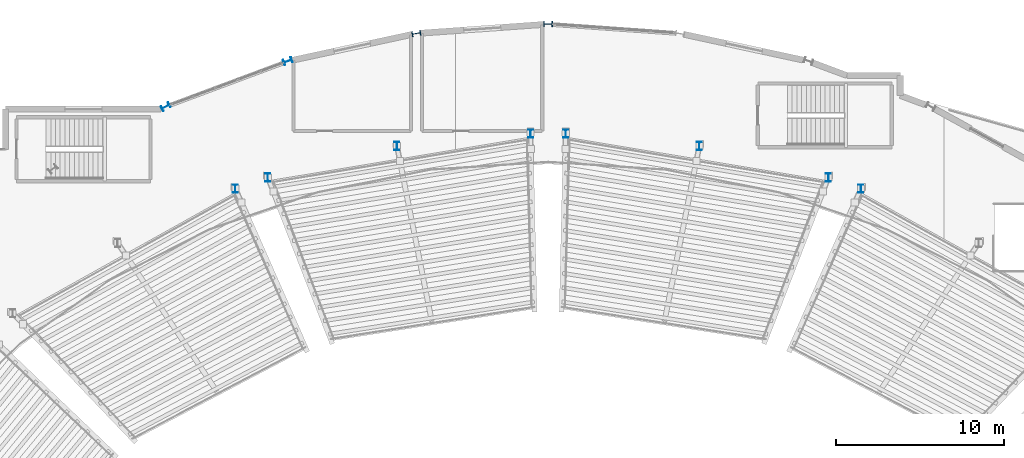
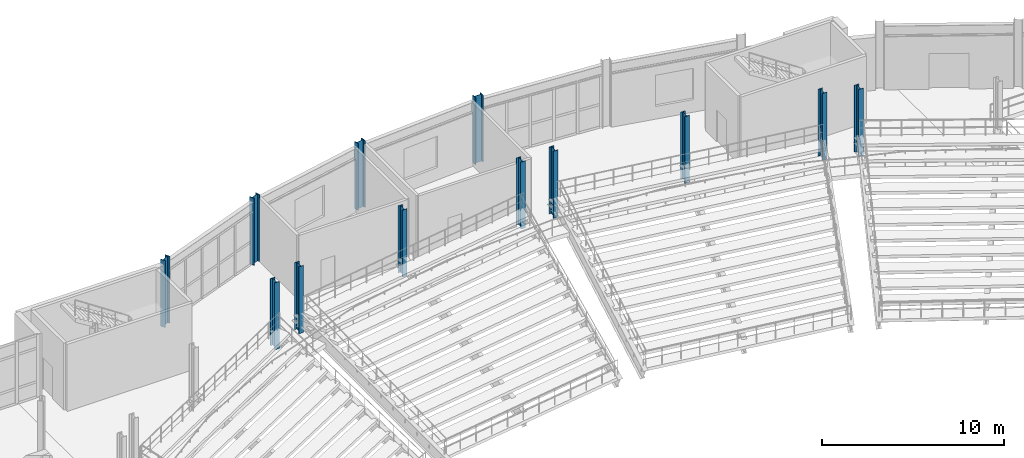
# One storey, part 12 of 81: 12 columns.
"""IFC4 building model written with IfcOpenShell, lengths in metres."""

from ifc_helpers import new_model, si_unit, direction, frame, origin, origin_2d, place, context, subcontext, project, spatial, i_section, extrude, material, material_profile, profile_set, type_object, element, save


model = new_model("IFC4")

# Units and contexts
model_context = context("Model", 3, precision=1e-05, world=origin(), true_north=direction((0.0, 1.0)))
body_context = subcontext(model_context, "Body", "Model", "MODEL_VIEW")
ifc_project = project(units=[si_unit("LENGTHUNIT", "METRE"), si_unit("AREAUNIT", "SQUARE_METRE"), si_unit("VOLUMEUNIT", "CUBIC_METRE"), si_unit("PLANEANGLEUNIT", "RADIAN"), si_unit("MASSUNIT", "GRAM", prefix="KILO")], contexts=[model_context])

# Site, building, storey
site_placement = place(None, origin())
site = spatial("IfcSite", under=ifc_project, at=site_placement, CompositionType="ELEMENT")
building_placement = place(site_placement, origin())
building = spatial("IfcBuilding", under=site, at=building_placement, Name="Glasvene Arena", CompositionType="ELEMENT")
storey_placement = place(building_placement, frame((0.0, 0.0, 15.0)))
storey = spatial("IfcBuildingStorey", under=building, at=storey_placement, Name="L03", CompositionType="ELEMENT", Elevation=15.0)

# Columns
ifc_material = material(Name="Steel S355J2", Category="steel")
ifc_material_profile_1 = material_profile(ifc_material, i_section(OverallWidth=0.305908203125, OverallDepth=0.52392578125, WebThickness=0.02099609375, FlangeThickness=0.0400390625, FilletRadius=0.027099609375, at=origin_2d()), Name="HEM 500")
ifc_profile_set_1 = profile_set([ifc_material_profile_1], Name="Steel S355J2")
column_type_1 = type_object("IfcColumnType", Name="COL-RING-HEM500", PredefinedType="COLUMN", material=ifc_profile_set_1)
for number, where, z_axis, x_axis, name in (
    (1, (92.0, 118.0, 0.0), (0.0, 0.0, 1.0), (0.0, 1.0, 0.0), "Bowl ring column R11 L03"),
    (2, (84.17822265625, 117.446044921875, 0.0), (0.0, 0.0, 1.0), (-0.173304404339, 0.984868307662, 0.0), "Bowl ring column R12 L03"),
    (3, (76.54931640625, 115.797607421875, 0.0), (0.0, 0.0, 1.0), (-0.339558864524, 0.94058480613, 0.0), "Bowl ring column R13 L03"),
    (4, (69.300537109375, 113.09521484375, 0.0), (0.0, 0.0, 1.0), (-0.492727341548, 0.87018375467, 0.0), "Bowl ring column R14 L03"),
):
    element("IfcColumn", number, at=place(storey_placement, frame(where, z_axis=z_axis, x_axis=x_axis)), inside=storey, type_object=column_type_1, Name=name, PredefinedType="COLUMN", context=body_context, shape_type="SweptSolid", body=[
        extrude(i_section(OverallWidth=0.305908203125, OverallDepth=0.52392578125, WebThickness=0.02099609375, FlangeThickness=0.0400390625, FilletRadius=0.027099609375, at=origin_2d()), origin(), (0.0, 0.0, 1.0), 4.5),
    ])
ifc_material_profile_2 = material_profile(ifc_material, i_section(OverallWidth=0.300048828125, OverallDepth=0.5, WebThickness=0.014404296875, FlangeThickness=0.028076171875, FilletRadius=0.027099609375, at=origin_2d()), Name="HEB 500")
ifc_profile_set_2 = profile_set([ifc_material_profile_2], Name="Steel S355J2")
column_type_2 = type_object("IfcColumnType", Name="COL-W-HEB500", PredefinedType="COLUMN", material=ifc_profile_set_2)
for number, where, z_axis, x_axis, name in (
    (5, (110.56298828125, 108.225830078125, 0.0), (0.0, 0.0, 1.0), (1.0, 0.0, 0.0), "Upper raker rear column L03 03-2"),
    (6, (108.634765625, 108.89453125, 0.0), (0.0, 0.0, 1.0), (1.0, 0.0, 0.0), "Upper raker rear column L03 04-1"),
    (7, (93.043701171875, 111.489990234375, 0.0), (0.0, 0.0, 1.0), (1.0, 0.0, 0.0), "Upper raker rear column L03 04-2"),
    (8, (90.956298828125, 111.489990234375, 0.0), (0.0, 0.0, 1.0), (1.0, 0.0, 0.0), "Upper raker rear column L03 05-1"),
    (9, (75.365234375, 108.89453125, 0.0), (0.0, 0.0, 1.0), (1.0, 0.0, 0.0), "Upper raker rear column L03 05-2"),
    (10, (73.43701171875, 108.225830078125, 0.0), (0.0, 0.0, 1.0), (1.0, 0.0, 0.0), "Upper raker rear column L03 06-1"),
    (11, (100.97412109375, 110.76025390625, 0.0), (0.0, 0.0, 1.0), (1.0, 0.0, 0.0), "Mid-sector rear raker column L03 04"),
    (12, (83.02587890625, 110.76025390625, 0.0), (0.0, 0.0, 1.0), (1.0, 0.0, 0.0), "Mid-sector rear raker column L03 05"),
):
    element("IfcColumn", number, at=place(storey_placement, frame(where, z_axis=z_axis, x_axis=x_axis)), inside=storey, type_object=column_type_2, Name=name, PredefinedType="COLUMN", context=body_context, shape_type="SweptSolid", body=[
        extrude(i_section(OverallWidth=0.300048828125, OverallDepth=0.5, WebThickness=0.014404296875, FlangeThickness=0.028076171875, FilletRadius=0.027099609375, at=origin_2d()), origin(), (0.0, 0.0, 1.0), 4.5),
    ])

save(model, "model.ifc")
